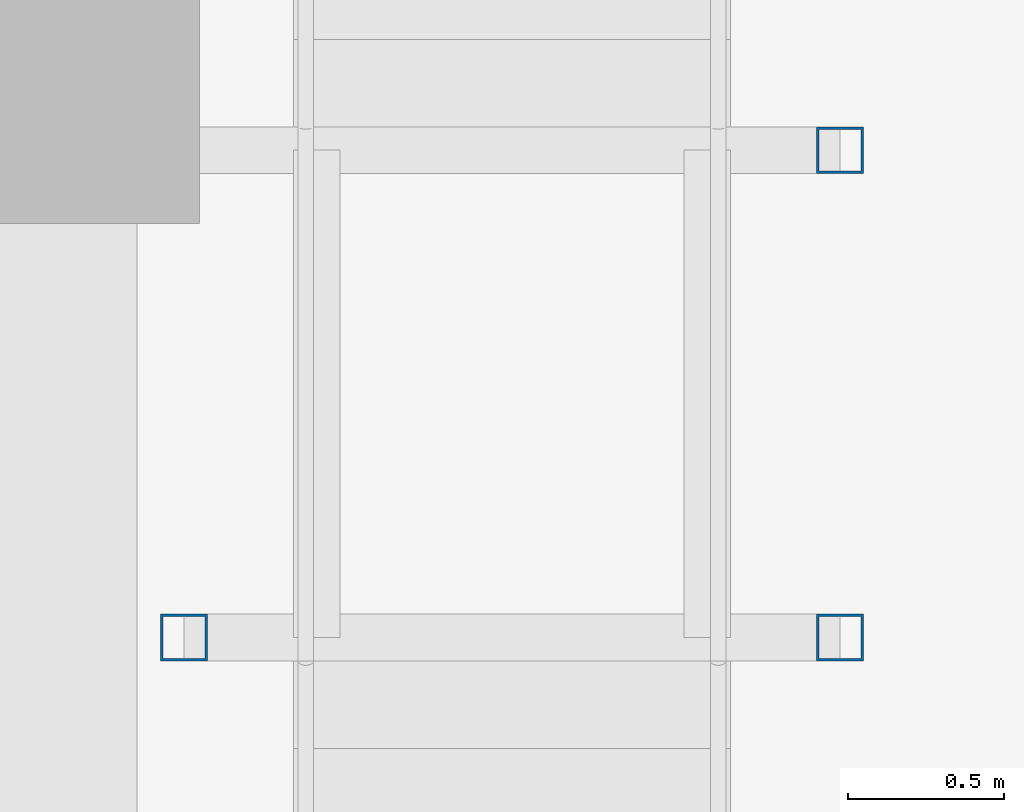
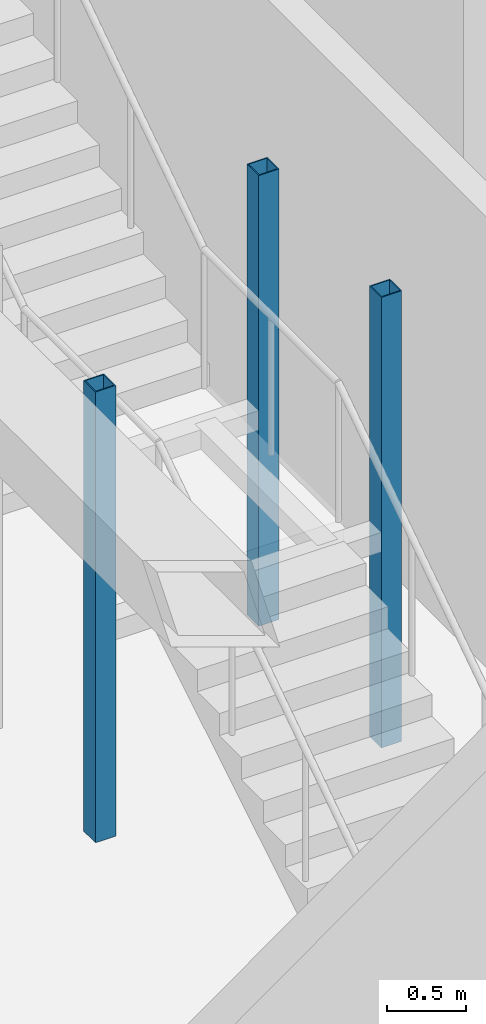
# One storey, part 2 of 28: 3 columns.
"""IFC4 building model written with IfcOpenShell, lengths in metres."""

from ifc_helpers import new_model, si_unit, direction, frame, origin, origin_2d, place, context, subcontext, project, spatial, hollow_rectangle, extrude, material, material_profile, profile_set, type_object, element, save


model = new_model("IFC4")

# Units and contexts
model_context = context("Model", 3, precision=1e-05, world=origin(), true_north=direction((0.0, 1.0)))
body_context = subcontext(model_context, "Body", "Model", "MODEL_VIEW")
ifc_project = project(units=[si_unit("LENGTHUNIT", "METRE"), si_unit("AREAUNIT", "SQUARE_METRE"), si_unit("VOLUMEUNIT", "CUBIC_METRE"), si_unit("PLANEANGLEUNIT", "RADIAN"), si_unit("MASSUNIT", "GRAM", prefix="KILO")], contexts=[model_context])

# Site, building, storey
site_placement = place(None, origin())
site = spatial("IfcSite", under=ifc_project, at=site_placement, CompositionType="ELEMENT")
building_placement = place(site_placement, origin())
building = spatial("IfcBuilding", under=site, at=building_placement, Name="Orbita Commons", CompositionType="ELEMENT")
storey_placement = place(building_placement, frame((0.0, 0.0, 193.60009765625)))
storey = spatial("IfcBuildingStorey", under=building, at=storey_placement, Name="L48", CompositionType="ELEMENT", Elevation=193.60009765625)

# Columns
ifc_material = material(Name="Steel ASTM A992", Category="steel")
ifc_material_profile = material_profile(ifc_material, hollow_rectangle(XDim=0.14990234375, YDim=0.14990234375, WallThickness=0.008056640625, at=origin_2d()), Name="SHS 150x150x8")
ifc_profile_set = profile_set([ifc_material_profile], Name="Steel ASTM A992")
column_type = type_object("IfcColumnType", Name="Landing post SHS 150x150x8", PredefinedType="COLUMN", material=ifc_profile_set)
for number, where, z_axis, x_axis, name in (
    (1, (12.449951171875, 34.375, 0.0), (0.0, 0.0, 1.0), (1.0, 0.0, 0.0), "Neighbourhood stair L48 to L49 landing post 1"),
    (2, (14.550048828125, 34.375, 0.0), (0.0, 0.0, 1.0), (1.0, 0.0, 0.0), "Neighbourhood stair L48 to L49 landing post 2"),
    (3, (14.550048828125, 35.93505859375, 0.0), (0.0, 0.0, 1.0), (1.0, 0.0, 0.0), "Neighbourhood stair L48 to L49 landing post 4"),
):
    element("IfcColumn", number, at=place(storey_placement, frame(where, z_axis=z_axis, x_axis=x_axis)), inside=storey, type_object=column_type, Name=name, PredefinedType="COLUMN", context=body_context, shape_type="SweptSolid", body=[
        extrude(hollow_rectangle(XDim=0.14990234375, YDim=0.14990234375, WallThickness=0.008056640625, at=origin_2d()), origin(), (0.0, 0.0, 1.0), 3.5),
    ])

save(model, "model.ifc")
